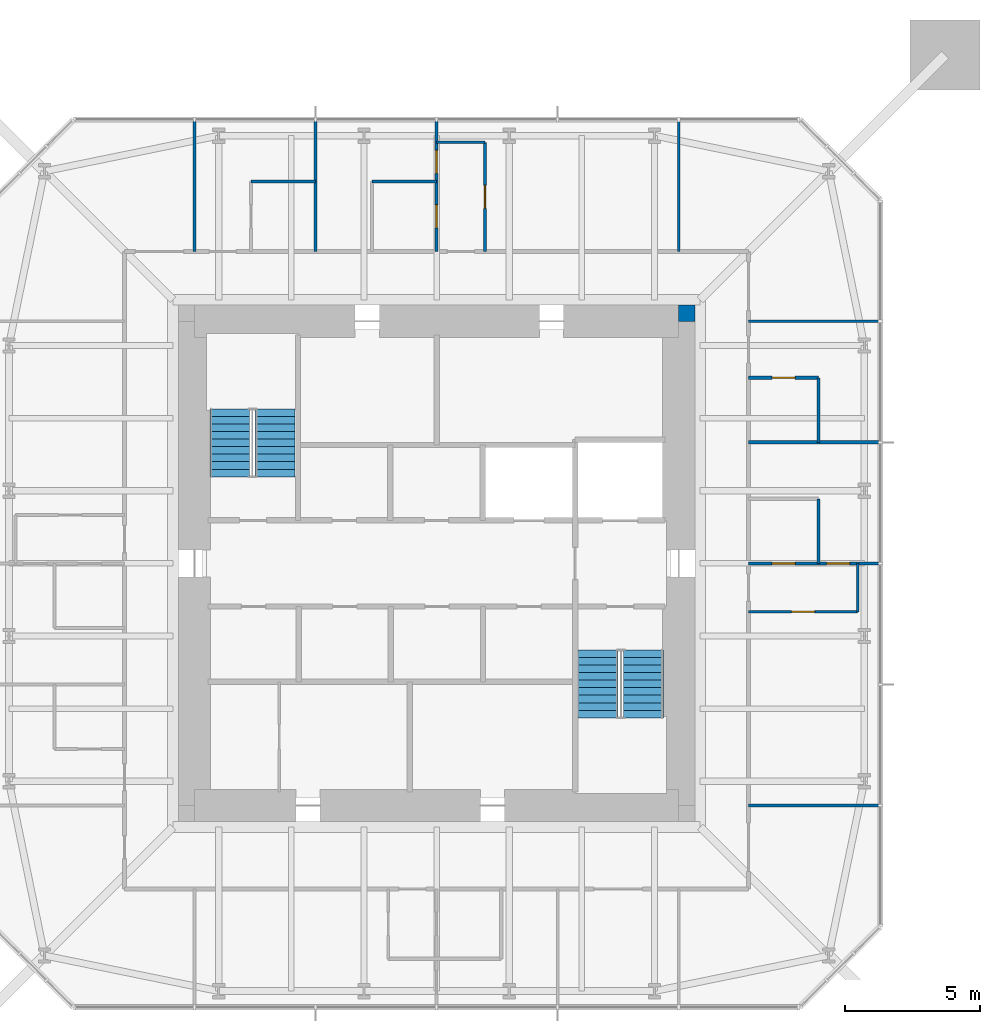
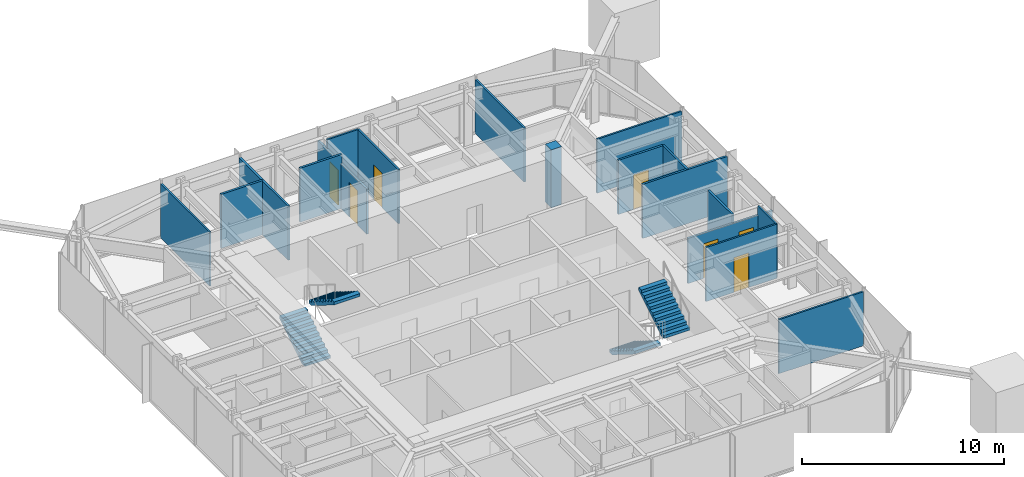
# One storey, part 8 of 9: 18 walls, 7 doors, 4 stair flights, 7 openings, 2 elements without a shape of their own.
"""IFC4 building model written with IfcOpenShell, lengths in metres."""

from ifc_helpers import new_model, si_unit, direction, frame, frame_2d, origin, place, context, subcontext, project, spatial, polyline, rectangle, outline, extrude, material, layer, layer_set, constituent, constituent_set, type_object, element, fill, aggregate, save


model = new_model("IFC4")

# Units and contexts
model_context = context("Model", 3, precision=1e-05, world=origin(), true_north=direction((0.0, 1.0)))
body_context = subcontext(model_context, "Body", "Model", "MODEL_VIEW")
ifc_project = project(units=[si_unit("LENGTHUNIT", "METRE"), si_unit("AREAUNIT", "SQUARE_METRE"), si_unit("VOLUMEUNIT", "CUBIC_METRE"), si_unit("PLANEANGLEUNIT", "RADIAN"), si_unit("MASSUNIT", "GRAM", prefix="KILO")], contexts=[model_context])

# Site, building, storey
site_placement = place(None, origin())
site = spatial("IfcSite", under=ifc_project, at=site_placement, CompositionType="ELEMENT")
building_placement = place(site_placement, origin())
building = spatial("IfcBuilding", under=site, at=building_placement, Name="Iwan Alto Co-Living Towers", CompositionType="ELEMENT")
storey_placement = place(building_placement, frame((0.0, 0.0, 232.5)))
storey = spatial("IfcBuildingStorey", under=building, at=storey_placement, Name="L63", CompositionType="ELEMENT", Elevation=232.5)

# Wall
ifc_material_1 = material(Name="Gypsum board")
ifc_layer_1 = layer(ifc_material_1, 0.012451171875, Name="Board", Category="Finish")
ifc_material_2 = material(Name="Steel ASTM A1003 ST33H cold-formed studs", Category="steel")
ifc_layer_2 = layer(ifc_material_2, 0.074951171875, Name="Studs", Category="Framing")
ifc_layer_3 = layer(ifc_material_1, 0.012451171875, Name="Board", Category="Finish")
ifc_layer_set_1 = layer_set([ifc_layer_1, ifc_layer_2, ifc_layer_3], Name="PARTITION 100")
wall_type_1 = type_object("IfcWallType", Name="PARTITION 100", PredefinedType="PARTITIONING", material=ifc_layer_set_1)
wall_1_placement = place(storey_placement, frame((11.60009765625, -9.0, 0.0), z_axis=(0.0, 0.0, 1.0), x_axis=(1.0, 0.0, 0.0)))
element("IfcWall", 1, at=wall_1_placement, inside=storey, type_object=wall_type_1, Name="Partition L63", PredefinedType="PARTITIONING", context=body_context, shape_type="SweptSolid", body=[
    extrude(rectangle(XDim=4.83984375, YDim=0.10009765625, at=frame_2d((2.419921875, 0.0))), origin(), (0.0, 0.0, 1.0), 3.27001953125),
])

# Wall, opening, door
wall_2_placement = place(storey_placement, frame((11.60009765625, -1.800048828125, 0.0), z_axis=(0.0, 0.0, 1.0), x_axis=(1.0, 0.0, 0.0)))
wall_2 = element("IfcWall", 2, at=wall_2_placement, inside=storey, type_object=wall_type_1, Name="Partition L63", PredefinedType="PARTITIONING", context=body_context, shape_type="SweptSolid", body=[
    extrude(rectangle(XDim=4.0498046875, YDim=0.10009765625, at=frame_2d((2.02490234375, 0.0))), origin(), (0.0, 0.0, 1.0), 3.27001953125),
])
opening_1_placement = place(wall_2_placement, frame((1.60009765625, 0.0, 0.0)))
opening_1 = element("IfcOpeningElement", 3, at=opening_1_placement, cuts=wall_2, Name="Opening D2", PredefinedType="OPENING", context=body_context, shape_type="SweptSolid", body=[
    extrude(rectangle(XDim=0.85009765625, YDim=2.10009765625, at=frame_2d((0.425048828125, 1.050048828125))), frame((0.0, 0.06005859375, 0.0), z_axis=(0.0, -1.0, 0.0), x_axis=(1.0, 0.0, 0.0)), (0.0, 0.0, 1.0), 0.1201171875),
])
ifc_material_3 = material(Name="Timber leaf in steel frame", Category="steel")
door_type = type_object("IfcDoorType", Name="ROOM DOOR 850X2100", OperationType="SINGLE_SWING_LEFT", PredefinedType="DOOR", material=ifc_material_3)
door_1_placement = place(opening_1_placement, frame((0.85009765625, 0.0, 0.0), z_axis=(0.0, 0.0, 1.0), x_axis=(-1.0, 0.0, 0.0)))
door_1 = element("IfcDoor", 4, at=door_1_placement, inside=storey, type_object=door_type, Name="Apartment foyer door L63", OperationType="SINGLE_SWING_RIGHT", OverallHeight=2.10009765625, OverallWidth=0.85009765625, PredefinedType="DOOR", context=body_context, shape_type="SweptSolid", body=[
    extrude(rectangle(XDim=0.85009765625, YDim=2.10009765625, at=frame_2d((0.425048828125, 1.050048828125))), frame((0.0, 0.02490234375, 0.0), z_axis=(0.0, -1.0, 0.0), x_axis=(1.0, 0.0, 0.0)), (0.0, 0.0, 1.0), 0.050048828125),
])
fill(opening_1, door_1)

# Walls
wall_3_placement = place(storey_placement, frame((11.60009765625, 9.0, 0.0), z_axis=(0.0, 0.0, 1.0), x_axis=(1.0, 0.0, 0.0)))
element("IfcWall", 5, at=wall_3_placement, inside=storey, type_object=wall_type_1, Name="Partition L63", PredefinedType="PARTITIONING", context=body_context, shape_type="SweptSolid", body=[
    extrude(rectangle(XDim=4.83984375, YDim=0.10009765625, at=frame_2d((2.419921875, 0.0))), origin(), (0.0, 0.0, 1.0), 3.27001953125),
])
for number, where, z_axis, x_axis, name in (
    (6, (0.0, 15.64990234375, 0.0), (0.0, 0.0, 1.0), (1.0, 0.0, 0.0), "Partition L63"),
    (7, (15.64990234375, -1.800048828125, 0.0), (0.0, 0.0, 1.0), (0.0, 1.0, 0.0), "Partition L63"),
):
    element("IfcWall", number, at=place(storey_placement, frame(where, z_axis=z_axis, x_axis=x_axis)), inside=storey, type_object=wall_type_1, Name=name, PredefinedType="PARTITIONING", context=body_context, shape_type="SweptSolid", body=[
        extrude(rectangle(XDim=1.800048828125, YDim=0.10009765625, at=frame_2d((0.89990234375, 0.0))), origin(), (0.0, 0.0, 1.0), 3.27001953125),
    ])
wall_4_placement = place(storey_placement, frame((9.0, 11.60009765625, 0.0), z_axis=(0.0, 0.0, 1.0), x_axis=(0.0, 1.0, 0.0)))
element("IfcWall", 8, at=wall_4_placement, inside=storey, type_object=wall_type_1, Name="Partition L63", PredefinedType="PARTITIONING", context=body_context, shape_type="SweptSolid", body=[
    extrude(rectangle(XDim=4.83984375, YDim=0.10009765625, at=frame_2d((2.419921875, 0.0))), origin(), (0.0, 0.0, 1.0), 3.27001953125),
])

# Wall, opening, door
wall_5_placement = place(storey_placement, frame((1.800048828125, 11.60009765625, 0.0), z_axis=(0.0, 0.0, 1.0), x_axis=(0.0, 1.0, 0.0)))
wall_5 = element("IfcWall", 9, at=wall_5_placement, inside=storey, type_object=wall_type_1, Name="Partition L63", PredefinedType="PARTITIONING", context=body_context, shape_type="SweptSolid", body=[
    extrude(rectangle(XDim=4.0498046875, YDim=0.10009765625, at=frame_2d((2.02490234375, 0.0))), origin(), (0.0, 0.0, 1.0), 3.27001953125),
])
opening_2_placement = place(wall_5_placement, frame((1.60009765625, 0.0, 0.0)))
opening_2 = element("IfcOpeningElement", 10, at=opening_2_placement, cuts=wall_5, Name="Opening D2", PredefinedType="OPENING", context=body_context, shape_type="SweptSolid", body=[
    extrude(rectangle(XDim=0.85009765625, YDim=2.10009765625, at=frame_2d((0.425048828125, 1.050048828125))), frame((0.0, 0.06005859375, 0.0), z_axis=(0.0, -1.0, 0.0), x_axis=(1.0, 0.0, 0.0)), (0.0, 0.0, 1.0), 0.1201171875),
])
door_2_placement = place(opening_2_placement, frame((0.85009765625, 0.0, 0.0), z_axis=(0.0, 0.0, 1.0), x_axis=(-1.0, 0.0, 0.0)))
door_2 = element("IfcDoor", 11, at=door_2_placement, inside=storey, type_object=door_type, Name="Apartment foyer door L63", OperationType="SINGLE_SWING_RIGHT", OverallHeight=2.10009765625, OverallWidth=0.85009765625, PredefinedType="DOOR", context=body_context, shape_type="SweptSolid", body=[
    extrude(rectangle(XDim=0.85009765625, YDim=2.10009765625, at=frame_2d((0.425048828125, 1.050048828125))), frame((0.0, 0.02490234375, 0.0), z_axis=(0.0, -1.0, 0.0), x_axis=(1.0, 0.0, 0.0)), (0.0, 0.0, 1.0), 0.050048828125),
])
fill(opening_2, door_2)

# Walls
wall_6_placement = place(storey_placement, frame((-9.0, 11.60009765625, 0.0), z_axis=(0.0, 0.0, 1.0), x_axis=(0.0, 1.0, 0.0)))
element("IfcWall", 12, at=wall_6_placement, inside=storey, type_object=wall_type_1, Name="Partition L63", PredefinedType="PARTITIONING", context=body_context, shape_type="SweptSolid", body=[
    extrude(rectangle(XDim=4.83984375, YDim=0.10009765625, at=frame_2d((2.419921875, 0.0))), origin(), (0.0, 0.0, 1.0), 3.27001953125),
])
ifc_material_4 = material(Name="Concrete f'c 70 MPa", Category="concrete")
ifc_layer_4 = layer(ifc_material_4, 0.60009765625)
ifc_layer_set_2 = layer_set([ifc_layer_4], Name="T1 CORE CORNER FILL 600")
wall_type_2 = type_object("IfcWallType", Name="T1 CORE CORNER FILL 600", PredefinedType="SOLIDWALL", material=ifc_layer_set_2)
wall_7_placement = place(storey_placement, frame((9.0, 9.300048828125, 0.0), z_axis=(0.0, 0.0, 1.0), x_axis=(1.0, 0.0, 0.0)))
element("IfcWall", 13, at=wall_7_placement, inside=storey, type_object=wall_type_2, Name="T1 core corner NE L63", PredefinedType="SOLIDWALL", context=body_context, shape_type="SweptSolid", body=[
    extrude(rectangle(XDim=0.60009765625, YDim=0.60009765625, at=frame_2d((0.300048828125, 0.0))), origin(), (0.0, 0.0, 1.0), 3.5),
])

# Wall, openings, doors
ifc_material_5 = material(Name="Cement board")
ifc_layer_5 = layer(ifc_material_5, 0.012451171875, Name="Board", Category="Finish")
ifc_layer_6 = layer(ifc_material_2, 0.094970703125, Name="Studs", Category="Framing")
ifc_layer_7 = layer(ifc_material_5, 0.012451171875, Name="Board", Category="Finish")
ifc_layer_set_3 = layer_set([ifc_layer_5, ifc_layer_6, ifc_layer_7], Name="WET AREA PARTITION 120")
wall_type_3 = type_object("IfcWallType", Name="WET AREA PARTITION 120", PredefinedType="PARTITIONING", material=ifc_layer_set_3)
wall_8_placement = place(storey_placement, frame((11.60009765625, 0.0, 0.0), z_axis=(0.0, 0.0, 1.0), x_axis=(1.0, 0.0, 0.0)))
wall_8 = element("IfcWall", 14, at=wall_8_placement, inside=storey, type_object=wall_type_3, Name="Partition L63", PredefinedType="PARTITIONING", context=body_context, shape_type="SweptSolid", body=[
    extrude(rectangle(XDim=4.83984375, YDim=0.1201171875, at=frame_2d((2.419921875, 0.0))), origin(), (0.0, 0.0, 1.0), 2.736572265625),
])
opening_3_placement = place(wall_8_placement, frame((2.89990234375, 0.0, 0.0)))
opening_3 = element("IfcOpeningElement", 15, at=opening_3_placement, cuts=wall_8, Name="Opening D2", PredefinedType="OPENING", context=body_context, shape_type="SweptSolid", body=[
    extrude(rectangle(XDim=0.85009765625, YDim=2.10009765625, at=frame_2d((0.425048828125, 1.050048828125))), frame((0.0, 0.070068359375, 0.0), z_axis=(0.0, -1.0, 0.0), x_axis=(1.0, 0.0, 0.0)), (0.0, 0.0, 1.0), 0.14013671875),
])
opening_4_placement = place(wall_8_placement, frame((0.875, 0.0, 0.0)))
opening_4 = element("IfcOpeningElement", 16, at=opening_4_placement, cuts=wall_8, Name="Opening D2", PredefinedType="OPENING", context=body_context, shape_type="SweptSolid", body=[
    extrude(rectangle(XDim=0.85009765625, YDim=2.10009765625, at=frame_2d((0.425048828125, 1.050048828125))), frame((0.0, 0.070068359375, 0.0), z_axis=(0.0, -1.0, 0.0), x_axis=(1.0, 0.0, 0.0)), (0.0, 0.0, 1.0), 0.14013671875),
])
door_3_placement = place(opening_3_placement, origin())
door_3 = element("IfcDoor", 17, at=door_3_placement, inside=storey, type_object=door_type, Name="Bedroom door L63", OperationType="SINGLE_SWING_LEFT", OverallHeight=2.10009765625, OverallWidth=0.85009765625, PredefinedType="DOOR", context=body_context, shape_type="SweptSolid", body=[
    extrude(rectangle(XDim=0.85009765625, YDim=2.10009765625, at=frame_2d((0.425048828125, 1.050048828125))), frame((0.0, 0.02490234375, 0.0), z_axis=(0.0, -1.0, 0.0), x_axis=(1.0, 0.0, 0.0)), (0.0, 0.0, 1.0), 0.050048828125),
])
fill(opening_3, door_3)
door_4_placement = place(opening_4_placement, origin())
door_4 = element("IfcDoor", 18, at=door_4_placement, inside=storey, type_object=door_type, Name="Bathroom door L63", OperationType="SINGLE_SWING_LEFT", OverallHeight=2.10009765625, OverallWidth=0.85009765625, PredefinedType="DOOR", context=body_context, shape_type="SweptSolid", body=[
    extrude(rectangle(XDim=0.85009765625, YDim=2.10009765625, at=frame_2d((0.425048828125, 1.050048828125))), frame((0.0, 0.02490234375, 0.0), z_axis=(0.0, -1.0, 0.0), x_axis=(1.0, 0.0, 0.0)), (0.0, 0.0, 1.0), 0.050048828125),
])
fill(opening_4, door_4)

# Wall
wall_9_placement = place(storey_placement, frame((11.60009765625, 4.5, 0.0), z_axis=(0.0, 0.0, 1.0), x_axis=(1.0, 0.0, 0.0)))
element("IfcWall", 19, at=wall_9_placement, inside=storey, type_object=wall_type_3, Name="Partition L63", PredefinedType="PARTITIONING", context=body_context, shape_type="SweptSolid", body=[
    extrude(rectangle(XDim=4.83984375, YDim=0.1201171875, at=frame_2d((2.419921875, 0.0))), origin(), (0.0, 0.0, 1.0), 3.27001953125),
])

# Wall, opening, door
wall_10_placement = place(storey_placement, frame((11.60009765625, 6.89990234375, 0.0), z_axis=(0.0, 0.0, 1.0), x_axis=(1.0, 0.0, 0.0)))
wall_10 = element("IfcWall", 20, at=wall_10_placement, inside=storey, type_object=wall_type_3, Name="Partition L63", PredefinedType="PARTITIONING", context=body_context, shape_type="SweptSolid", body=[
    extrude(rectangle(XDim=2.599853515625, YDim=0.1201171875, at=frame_2d((1.2998046875, 0.0))), origin(), (0.0, 0.0, 1.0), 3.27001953125),
])
opening_5_placement = place(wall_10_placement, frame((0.875, 0.0, 0.0)))
opening_5 = element("IfcOpeningElement", 21, at=opening_5_placement, cuts=wall_10, Name="Opening D2", PredefinedType="OPENING", context=body_context, shape_type="SweptSolid", body=[
    extrude(rectangle(XDim=0.85009765625, YDim=2.10009765625, at=frame_2d((0.425048828125, 1.050048828125))), frame((0.0, 0.070068359375, 0.0), z_axis=(0.0, -1.0, 0.0), x_axis=(1.0, 0.0, 0.0)), (0.0, 0.0, 1.0), 0.14013671875),
])
door_5_placement = place(opening_5_placement, origin())
door_5 = element("IfcDoor", 22, at=door_5_placement, inside=storey, type_object=door_type, Name="En-suite shower room door L63", OperationType="SINGLE_SWING_LEFT", OverallHeight=2.10009765625, OverallWidth=0.85009765625, PredefinedType="DOOR", context=body_context, shape_type="SweptSolid", body=[
    extrude(rectangle(XDim=0.85009765625, YDim=2.10009765625, at=frame_2d((0.425048828125, 1.050048828125))), frame((0.0, 0.02490234375, 0.0), z_axis=(0.0, -1.0, 0.0), x_axis=(1.0, 0.0, 0.0)), (0.0, 0.0, 1.0), 0.050048828125),
])
fill(opening_5, door_5)

# Walls
for number, where, z_axis, x_axis, name in (
    (23, (-6.89990234375, 14.199951171875, 0.0), (0.0, 0.0, 1.0), (1.0, 0.0, 0.0), "Partition L63"),
    (24, (-2.39990234375, 14.199951171875, 0.0), (0.0, 0.0, 1.0), (1.0, 0.0, 0.0), "Partition L63"),
    (25, (14.199951171875, 0.0, 0.0), (0.0, 0.0, 1.0), (0.0, 1.0, 0.0), "Partition L63"),
    (26, (14.199951171875, 4.5, 0.0), (0.0, 0.0, 1.0), (0.0, 1.0, 0.0), "Partition L63"),
):
    element("IfcWall", number, at=place(storey_placement, frame(where, z_axis=z_axis, x_axis=x_axis)), inside=storey, type_object=wall_type_3, Name=name, PredefinedType="PARTITIONING", context=body_context, shape_type="SweptSolid", body=[
        extrude(rectangle(XDim=2.39990234375, YDim=0.1201171875, at=frame_2d((1.199951171875, 0.0))), origin(), (0.0, 0.0, 1.0), 3.27001953125),
    ])

# Wall, openings, doors
wall_11_placement = place(storey_placement, frame((0.0, 11.60009765625, 0.0), z_axis=(0.0, 0.0, 1.0), x_axis=(0.0, 1.0, 0.0)))
wall_11 = element("IfcWall", 27, at=wall_11_placement, inside=storey, type_object=wall_type_3, Name="Partition L63", PredefinedType="PARTITIONING", context=body_context, shape_type="SweptSolid", body=[
    extrude(rectangle(XDim=4.83984375, YDim=0.1201171875, at=frame_2d((2.419921875, 0.0))), origin(), (0.0, 0.0, 1.0), 2.736572265625),
])
opening_6_placement = place(wall_11_placement, frame((2.89990234375, 0.0, 0.0)))
opening_6 = element("IfcOpeningElement", 28, at=opening_6_placement, cuts=wall_11, Name="Opening D2", PredefinedType="OPENING", context=body_context, shape_type="SweptSolid", body=[
    extrude(rectangle(XDim=0.85009765625, YDim=2.10009765625, at=frame_2d((0.425048828125, 1.050048828125))), frame((0.0, 0.070068359375, 0.0), z_axis=(0.0, -1.0, 0.0), x_axis=(1.0, 0.0, 0.0)), (0.0, 0.0, 1.0), 0.14013671875),
])
opening_7_placement = place(wall_11_placement, frame((0.875, 0.0, 0.0)))
opening_7 = element("IfcOpeningElement", 29, at=opening_7_placement, cuts=wall_11, Name="Opening D2", PredefinedType="OPENING", context=body_context, shape_type="SweptSolid", body=[
    extrude(rectangle(XDim=0.85009765625, YDim=2.10009765625, at=frame_2d((0.425048828125, 1.050048828125))), frame((0.0, 0.070068359375, 0.0), z_axis=(0.0, -1.0, 0.0), x_axis=(1.0, 0.0, 0.0)), (0.0, 0.0, 1.0), 0.14013671875),
])
door_6_placement = place(opening_6_placement, origin())
door_6 = element("IfcDoor", 30, at=door_6_placement, inside=storey, type_object=door_type, Name="Bedroom door L63", OperationType="SINGLE_SWING_LEFT", OverallHeight=2.10009765625, OverallWidth=0.85009765625, PredefinedType="DOOR", context=body_context, shape_type="SweptSolid", body=[
    extrude(rectangle(XDim=0.85009765625, YDim=2.10009765625, at=frame_2d((0.425048828125, 1.050048828125))), frame((0.0, 0.02490234375, 0.0), z_axis=(0.0, -1.0, 0.0), x_axis=(1.0, 0.0, 0.0)), (0.0, 0.0, 1.0), 0.050048828125),
])
fill(opening_6, door_6)
door_7_placement = place(opening_7_placement, origin())
door_7 = element("IfcDoor", 31, at=door_7_placement, inside=storey, type_object=door_type, Name="Bathroom door L63", OperationType="SINGLE_SWING_LEFT", OverallHeight=2.10009765625, OverallWidth=0.85009765625, PredefinedType="DOOR", context=body_context, shape_type="SweptSolid", body=[
    extrude(rectangle(XDim=0.85009765625, YDim=2.10009765625, at=frame_2d((0.425048828125, 1.050048828125))), frame((0.0, 0.02490234375, 0.0), z_axis=(0.0, -1.0, 0.0), x_axis=(1.0, 0.0, 0.0)), (0.0, 0.0, 1.0), 0.050048828125),
])
fill(opening_7, door_7)

# Wall
wall_12_placement = place(storey_placement, frame((-4.5, 11.60009765625, 0.0), z_axis=(0.0, 0.0, 1.0), x_axis=(0.0, 1.0, 0.0)))
element("IfcWall", 32, at=wall_12_placement, inside=storey, type_object=wall_type_3, Name="Partition L63", PredefinedType="PARTITIONING", context=body_context, shape_type="SweptSolid", body=[
    extrude(rectangle(XDim=4.83984375, YDim=0.1201171875, at=frame_2d((2.419921875, 0.0))), origin(), (0.0, 0.0, 1.0), 3.27001953125),
])

# Stair, stair flights
ifc_material_6 = material(Name="Steel ASTM A36", Category="steel")
ifc_constituent_1 = constituent(ifc_material_6, Name="Stringers", Category="LoadBearing")
ifc_material_7 = material(Name="Concrete f'c 30 MPa", Category="concrete")
ifc_constituent_2 = constituent(ifc_material_7, Name="Tread fill", Category="Finish")
ifc_constituent_set_1 = constituent_set(constituents=[ifc_constituent_1, ifc_constituent_2], Name="STAIR 3500 TWO-FLIGHT T1 CORE")
stair_type = type_object("IfcStairType", Name="STAIR 3500 TWO-FLIGHT T1 CORE", PredefinedType="HALF_TURN_STAIR", material=ifc_constituent_set_1)
stair_1_placement = place(storey_placement, origin())
stair_1 = element("IfcStair", 33, at=stair_1_placement, inside=storey, type_object=stair_type, Name="Stair T1-S1 L63 to L64", PredefinedType="HALF_TURN_STAIR")
ifc_constituent_3 = constituent(ifc_material_6, Name="Stringers", Category="LoadBearing")
ifc_constituent_4 = constituent(ifc_material_7, Name="Tread fill", Category="Finish")
ifc_constituent_set_2 = constituent_set(constituents=[ifc_constituent_3, ifc_constituent_4], Name="STAIR FLIGHT 10 RISERS 280 GOING")
stair_flight_type = type_object("IfcStairFlightType", Name="STAIR FLIGHT 10 RISERS 280 GOING", PredefinedType="STRAIGHT", material=ifc_constituent_set_2)
stair_flight_1_placement = place(storey_placement, frame((-7.68994140625, 3.219970703125, 0.0), z_axis=(0.0, 0.0, 1.0), x_axis=(0.0, 1.0, 0.0)))
stair_flight_1 = element("IfcStairFlight", 34, at=stair_flight_1_placement, type_object=stair_flight_type, Name="T1-S1 flight 1", NumberOfRisers=10, NumberOfTreads=9, PredefinedType="STRAIGHT", RiserHeight=0.175, TreadLength=0.28, context=body_context, shape_type="SweptSolid", body=[
    extrude(outline(polyline([(0.0, 0.0), (0.0, 0.175048828125), (0.280029296875, 0.175048828125), (0.280029296875, 0.35009765625), (0.56005859375, 0.35009765625), (0.56005859375, 0.52490234375), (0.840087890625, 0.52490234375), (0.840087890625, 0.699951171875), (1.1201171875, 0.699951171875), (1.1201171875, 0.875), (1.39990234375, 0.875), (1.39990234375, 1.050048828125), (1.679931640625, 1.050048828125), (1.679931640625, 1.22509765625), (1.9599609375, 1.22509765625), (1.9599609375, 1.39990234375), (2.239990234375, 1.39990234375), (2.239990234375, 1.574951171875), (2.52001953125, 1.574951171875), (2.52001953125, 1.75), (2.52001953125, 1.398193359375), (0.28271484375, 0.0), (0.0, 0.0)])), frame((0.0, 0.739990234375, 0.0), z_axis=(0.0, -1.0, 0.0), x_axis=(1.0, 0.0, 0.0)), (0.0, 0.0, 1.0), 1.47998046875),
])
stair_flight_2_placement = place(storey_placement, frame((-6.010009765625, 5.739990234375, 1.75), z_axis=(0.0, 0.0, 1.0), x_axis=(0.0, -1.0, 0.0)))
stair_flight_2 = element("IfcStairFlight", 35, at=stair_flight_2_placement, type_object=stair_flight_type, Name="T1-S1 flight 2", NumberOfRisers=10, NumberOfTreads=9, PredefinedType="STRAIGHT", RiserHeight=0.175, TreadLength=0.28, context=body_context, shape_type="SweptSolid", body=[
    extrude(outline(polyline([(0.0, 0.0), (0.0, 0.175048828125), (0.280029296875, 0.175048828125), (0.280029296875, 0.35009765625), (0.56005859375, 0.35009765625), (0.56005859375, 0.52490234375), (0.840087890625, 0.52490234375), (0.840087890625, 0.699951171875), (1.1201171875, 0.699951171875), (1.1201171875, 0.875), (1.39990234375, 0.875), (1.39990234375, 1.050048828125), (1.679931640625, 1.050048828125), (1.679931640625, 1.22509765625), (1.9599609375, 1.22509765625), (1.9599609375, 1.39990234375), (2.239990234375, 1.39990234375), (2.239990234375, 1.574951171875), (2.52001953125, 1.574951171875), (2.52001953125, 1.75), (2.52001953125, 1.398193359375), (0.28271484375, 0.0), (0.0, 0.0)])), frame((0.0, 0.739990234375, 0.0), z_axis=(0.0, -1.0, 0.0), x_axis=(1.0, 0.0, 0.0)), (0.0, 0.0, 1.0), 1.47998046875),
])
aggregate(stair_1, [stair_flight_1, stair_flight_2])

stair_2_placement = place(storey_placement, origin())
stair_2 = element("IfcStair", 36, at=stair_2_placement, inside=storey, type_object=stair_type, Name="Stair T1-S2 L63 to L64", PredefinedType="HALF_TURN_STAIR")
stair_flight_3_placement = place(storey_placement, frame((6.010009765625, -3.219970703125, 0.0), z_axis=(0.0, 0.0, 1.0), x_axis=(0.0, -1.0, 0.0)))
stair_flight_3 = element("IfcStairFlight", 37, at=stair_flight_3_placement, type_object=stair_flight_type, Name="T1-S2 flight 1", NumberOfRisers=10, NumberOfTreads=9, PredefinedType="STRAIGHT", RiserHeight=0.175, TreadLength=0.28, context=body_context, shape_type="SweptSolid", body=[
    extrude(outline(polyline([(0.0, 0.0), (0.0, 0.175048828125), (0.280029296875, 0.175048828125), (0.280029296875, 0.35009765625), (0.56005859375, 0.35009765625), (0.56005859375, 0.52490234375), (0.840087890625, 0.52490234375), (0.840087890625, 0.699951171875), (1.1201171875, 0.699951171875), (1.1201171875, 0.875), (1.39990234375, 0.875), (1.39990234375, 1.050048828125), (1.679931640625, 1.050048828125), (1.679931640625, 1.22509765625), (1.9599609375, 1.22509765625), (1.9599609375, 1.39990234375), (2.239990234375, 1.39990234375), (2.239990234375, 1.574951171875), (2.52001953125, 1.574951171875), (2.52001953125, 1.75), (2.52001953125, 1.398193359375), (0.28271484375, 0.0), (0.0, 0.0)])), frame((0.0, 0.739990234375, 0.0), z_axis=(0.0, -1.0, 0.0), x_axis=(1.0, 0.0, 0.0)), (0.0, 0.0, 1.0), 1.47998046875),
])
stair_flight_4_placement = place(storey_placement, frame((7.68994140625, -5.739990234375, 1.75), z_axis=(0.0, 0.0, 1.0), x_axis=(0.0, 1.0, 0.0)))
stair_flight_4 = element("IfcStairFlight", 38, at=stair_flight_4_placement, type_object=stair_flight_type, Name="T1-S2 flight 2", NumberOfRisers=10, NumberOfTreads=9, PredefinedType="STRAIGHT", RiserHeight=0.175, TreadLength=0.28, context=body_context, shape_type="SweptSolid", body=[
    extrude(outline(polyline([(0.0, 0.0), (0.0, 0.175048828125), (0.280029296875, 0.175048828125), (0.280029296875, 0.35009765625), (0.56005859375, 0.35009765625), (0.56005859375, 0.52490234375), (0.840087890625, 0.52490234375), (0.840087890625, 0.699951171875), (1.1201171875, 0.699951171875), (1.1201171875, 0.875), (1.39990234375, 0.875), (1.39990234375, 1.050048828125), (1.679931640625, 1.050048828125), (1.679931640625, 1.22509765625), (1.9599609375, 1.22509765625), (1.9599609375, 1.39990234375), (2.239990234375, 1.39990234375), (2.239990234375, 1.574951171875), (2.52001953125, 1.574951171875), (2.52001953125, 1.75), (2.52001953125, 1.398193359375), (0.28271484375, 0.0), (0.0, 0.0)])), frame((0.0, 0.739990234375, 0.0), z_axis=(0.0, -1.0, 0.0), x_axis=(1.0, 0.0, 0.0)), (0.0, 0.0, 1.0), 1.47998046875),
])
aggregate(stair_2, [stair_flight_3, stair_flight_4])

save(model, "model.ifc")
